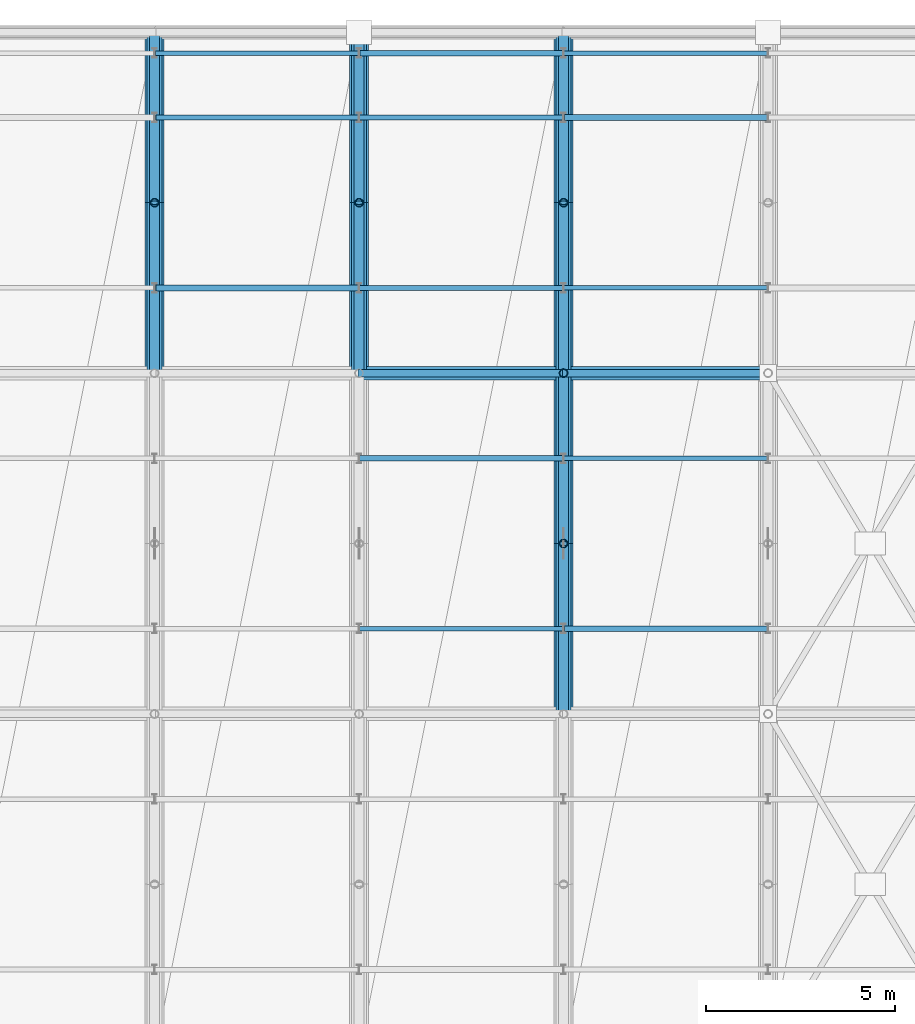
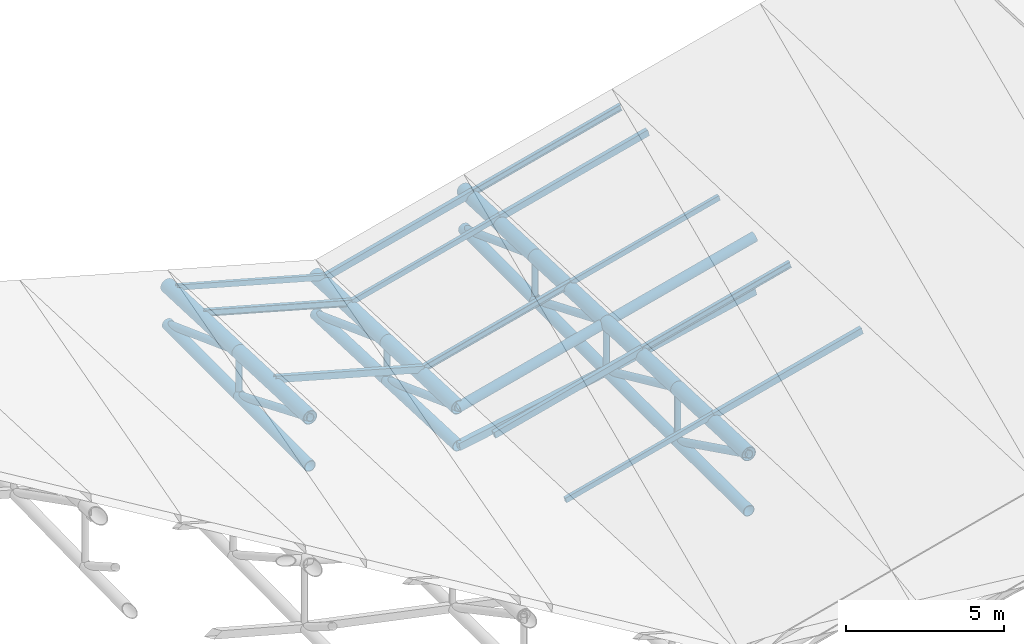
# One storey, part 27 of 109: 30 members, 16 beams.
"""IFC4 building model written with IfcOpenShell, lengths in metres."""

from ifc_helpers import new_model, si_unit, direction, frame, origin, origin_2d, place, context, subcontext, project, spatial, hollow_rectangle, hollow_circle, i_section, extrude, material, material_profile, profile_set, type_object, element, save


model = new_model("IFC4")

# Units and contexts
model_context = context("Model", 3, precision=1e-05, world=origin(), true_north=direction((0.0, 1.0)))
body_context = subcontext(model_context, "Body", "Model", "MODEL_VIEW")
ifc_project = project(units=[si_unit("LENGTHUNIT", "METRE"), si_unit("AREAUNIT", "SQUARE_METRE"), si_unit("VOLUMEUNIT", "CUBIC_METRE"), si_unit("PLANEANGLEUNIT", "RADIAN"), si_unit("MASSUNIT", "GRAM", prefix="KILO")], contexts=[model_context])

# Site, building, storey
site_placement = place(None, origin())
site = spatial("IfcSite", under=ifc_project, at=site_placement, CompositionType="ELEMENT")
building_placement = place(site_placement, origin())
building = spatial("IfcBuilding", under=site, at=building_placement, Name="Suirenkawa Promenade Aquatics Centre", CompositionType="ELEMENT")
storey_placement = place(building_placement, frame((0.0, 0.0, 22.800048828125)))
storey = spatial("IfcBuildingStorey", under=building, at=storey_placement, Name="ROOF", CompositionType="ELEMENT", Elevation=22.800048828125)

# Beams
ifc_material = material(Name="Steel IS 2062 E350 (Grade 350)", Category="steel")
ifc_material_profile_1 = material_profile(ifc_material, hollow_circle(Radius=0.202880859375, WallThickness=0.01806640625, at=origin_2d()), Name="CHS 406x18", Category="steel")
ifc_profile_set_1 = profile_set([ifc_material_profile_1], Name="Steel IS 2062 E350 (Grade 350)")
beam_type_1 = type_object("IfcBeamType", Name="BT-BC-CHS406", PredefinedType="BEAM", material=ifc_profile_set_1)
for number, where, z_axis, x_axis, name in (
    (1, (84.60009765625, 113.39990234375, -10.31103515625), (0.0, 0.999997019781, 0.002441398974), (-1.0, 0.0, 0.0), "ROOF TRUSS V1 bottom chord BC-01 BM-2028"),
    (2, (84.60009765625, 117.89990234375, -10.300048828125), (0.0, 0.999990104304, 0.004448740698), (-1.0, 0.0, 0.0), "ROOF TRUSS V1 bottom chord BC-01 BM-2030"),
):
    element("IfcBeam", number, at=place(storey_placement, frame(where, z_axis=z_axis, x_axis=x_axis)), inside=storey, type_object=beam_type_1, Name=name, PredefinedType="BEAM", context=body_context, shape_type="SweptSolid", body=[
        extrude(hollow_circle(Radius=0.202880859375, WallThickness=0.01806640625, at=origin_2d()), origin(), (0.0, 0.0, 1.0), 4.5),
    ])
for number, where, z_axis, x_axis, name in (
    (3, (90.0, 113.39990234375, -11.4130859375), (0.0, 0.999164352475, -0.040872934124), (-1.0, 0.0, 0.0), "ROOF TRUSS V1 bottom chord BC-01 BM-2056"),
    (4, (90.0, 117.89990234375, -11.59716796875), (0.0, 0.999175384927, -0.040602341759), (-1.0, 0.0, 0.0), "ROOF TRUSS V1 bottom chord BC-01 BM-2058"),
):
    element("IfcBeam", number, at=place(storey_placement, frame(where, z_axis=z_axis, x_axis=x_axis)), inside=storey, type_object=beam_type_1, Name=name, PredefinedType="BEAM", context=body_context, shape_type="SweptSolid", body=[
        extrude(hollow_circle(Radius=0.202880859375, WallThickness=0.01806640625, at=origin_2d()), origin(), (0.0, 0.0, 1.0), 4.503662109375),
    ])
for number, where, z_axis, x_axis, name in (
    (5, (95.39990234375, 104.39990234375, -10.358154296875), (0.0, 0.999978095645, -0.006618778628), (-1.0, 0.0, 0.0), "ROOF TRUSS V1 bottom chord BC-01 BM-2080"),
    (6, (95.39990234375, 108.89990234375, -10.387939453125), (0.0, 0.999997526048, -0.002224386858), (-1.0, 0.0, 0.0), "ROOF TRUSS V1 bottom chord BC-01 BM-2082"),
    (7, (95.39990234375, 113.39990234375, -10.39794921875), (0.0, 0.999999411313, 0.001085068806), (-1.0, 0.0, 0.0), "ROOF TRUSS V1 bottom chord BC-01 BM-2084"),
    (8, (95.39990234375, 117.89990234375, -10.39306640625), (0.0, 0.999995865965, 0.002875422141), (-1.0, 0.0, 0.0), "ROOF TRUSS V1 bottom chord BC-01 BM-2086"),
):
    element("IfcBeam", number, at=place(storey_placement, frame(where, z_axis=z_axis, x_axis=x_axis)), inside=storey, type_object=beam_type_1, Name=name, PredefinedType="BEAM", context=body_context, shape_type="SweptSolid", body=[
        extrude(hollow_circle(Radius=0.202880859375, WallThickness=0.01806640625, at=origin_2d()), origin(), (0.0, 0.0, 1.0), 4.5),
    ])
ifc_material_profile_2 = material_profile(ifc_material, hollow_circle(Radius=0.25390625, WallThickness=0.02392578125, at=origin_2d()), Name="CHS 508x24", Category="steel")
ifc_profile_set_2 = profile_set([ifc_material_profile_2], Name="Steel IS 2062 E350 (Grade 350)")
beam_type_2 = type_object("IfcBeamType", Name="BT-TC-CHS508", PredefinedType="BEAM", material=ifc_profile_set_2)
for number, where, z_axis, x_axis, name in (
    (9, (84.60009765625, 113.39990234375, -8.43310546875), (0.0, 0.999166564808, -0.040818816368), (-1.0, 0.0, 0.0), "ROOF TRUSS V1 top chord TC-02 BM-2027"),
    (10, (84.60009765625, 117.89990234375, -8.616943359375), (0.0, 0.999173184279, -0.040656460949), (-1.0, 0.0, 0.0), "ROOF TRUSS V1 top chord TC-02 BM-2029"),
    (11, (90.0, 113.39990234375, -9.93310546875), (0.0, 0.999166564808, -0.040818816368), (-1.0, 0.0, 0.0), "ROOF TRUSS V1 top chord TC-02 BM-2055"),
    (12, (90.0, 117.89990234375, -10.116943359375), (0.0, 0.999173184279, -0.040656460949), (-1.0, 0.0, 0.0), "ROOF TRUSS V1 top chord TC-02 BM-2057"),
    (13, (95.39990234375, 104.39990234375, -8.1669921875), (0.0, 0.999173184279, -0.040656460949), (-1.0, 0.0, 0.0), "ROOF TRUSS V1 top chord TC-02 BM-2079"),
    (14, (95.39990234375, 108.89990234375, -8.35009765625), (0.0, 0.999175384927, -0.040602341759), (-1.0, 0.0, 0.0), "ROOF TRUSS V1 top chord TC-02 BM-2081"),
    (15, (95.39990234375, 113.39990234375, -8.532958984375), (0.0, 0.999164352475, -0.040872934124), (-1.0, 0.0, 0.0), "ROOF TRUSS V1 top chord TC-02 BM-2083"),
    (16, (95.39990234375, 117.89990234375, -8.717041015625), (0.0, 0.999173184279, -0.040656460949), (-1.0, 0.0, 0.0), "ROOF TRUSS V1 top chord TC-02 BM-2085"),
):
    element("IfcBeam", number, at=place(storey_placement, frame(where, z_axis=z_axis, x_axis=x_axis)), inside=storey, type_object=beam_type_2, Name=name, PredefinedType="BEAM", context=body_context, shape_type="SweptSolid", body=[
        extrude(hollow_circle(Radius=0.25390625, WallThickness=0.02392578125, at=origin_2d()), origin(), (0.0, 0.0, 1.0), 4.503662109375),
    ])

# Members
ifc_material_profile_3 = material_profile(ifc_material, hollow_circle(Radius=0.177978515625, WallThickness=0.01611328125, at=origin_2d()), Name="CHS 356x16", Category="steel")
ifc_profile_set_3 = profile_set([ifc_material_profile_3], Name="Steel IS 2062 E350 (Grade 350)")
member_type_1 = type_object("IfcMemberType", Name="MT-CHORD-CHS356", PredefinedType="CHORD", material=ifc_profile_set_3)
member_1_placement = place(storey_placement, frame((90.0, 113.39990234375, -9.93310546875), z_axis=(0.967989416096, 0.0, 0.250991016426), x_axis=(0.0, 1.0, 0.0)))
element("IfcMember", 17, at=member_1_placement, inside=storey, type_object=member_type_1, Name="ROOF TRUSS V1 tie chord CH-02 MB-0904", PredefinedType="CHORD", context=body_context, shape_type="SweptSolid", body=[
    extrude(hollow_circle(Radius=0.177978515625, WallThickness=0.01611328125, at=origin_2d()), origin(), (0.0, 0.0, 1.0), 5.578369140625),
])
member_2_placement = place(storey_placement, frame((95.39990234375, 113.39990234375, -8.532958984375), z_axis=(0.96800280427, 0.0, 0.250939376992), x_axis=(0.0, 1.0, 0.0)))
element("IfcMember", 18, at=member_2_placement, inside=storey, type_object=member_type_1, Name="ROOF TRUSS V1 tie chord CH-02 MB-0906", PredefinedType="CHORD", context=body_context, shape_type="SweptSolid", body=[
    extrude(hollow_circle(Radius=0.177978515625, WallThickness=0.01611328125, at=origin_2d()), origin(), (0.0, 0.0, 1.0), 5.57861328125),
])
ifc_material_profile_4 = material_profile(ifc_material, hollow_rectangle(XDim=0.199951171875, YDim=0.300048828125, WallThickness=0.011962890625, at=origin_2d()), Name="RHS 300x200x12", Category="steel")
ifc_profile_set_4 = profile_set([ifc_material_profile_4], Name="Steel IS 2062 E350 (Grade 350)")
member_type_2 = type_object("IfcMemberType", Name="MT-CHORD-RHS300", PredefinedType="CHORD", material=ifc_profile_set_4)
member_3_placement = place(storey_placement, frame((90.0, 113.39990234375, -11.4130859375), z_axis=(0.982784550079, 0.0, 0.184755319614), x_axis=(0.0, 1.0, 0.0)))
element("IfcMember", 19, at=member_3_placement, inside=storey, type_object=member_type_2, Name="ROOF TRUSS V1 bottom tie CH-03 MB-0905", PredefinedType="CHORD", context=body_context, shape_type="SweptSolid", body=[
    extrude(hollow_rectangle(XDim=0.199951171875, YDim=0.300048828125, WallThickness=0.011962890625, at=origin_2d()), origin(), (0.0, 0.0, 1.0), 5.494384765625),
])
member_4_placement = place(storey_placement, frame((95.39990234375, 113.39990234375, -10.39794921875), z_axis=(0.975692581741, 0.0, 0.219143756322), x_axis=(0.0, 1.0, 0.0)))
element("IfcMember", 20, at=member_4_placement, inside=storey, type_object=member_type_2, Name="ROOF TRUSS V1 bottom tie CH-03 MB-0907", PredefinedType="CHORD", context=body_context, shape_type="SweptSolid", body=[
    extrude(hollow_rectangle(XDim=0.199951171875, YDim=0.300048828125, WallThickness=0.011962890625, at=origin_2d()), origin(), (0.0, 0.0, 1.0), 5.53466796875),
])
ifc_material_profile_5 = material_profile(ifc_material, i_section(OverallWidth=0.125, OverallDepth=0.25, WebThickness=0.007080078125, FlangeThickness=0.012939453125, at=origin_2d()), Name="ISMB 250", Category="steel")
ifc_profile_set_5 = profile_set([ifc_material_profile_5], Name="Steel IS 2062 E350 (Grade 350)")
member_type_3 = type_object("IfcMemberType", Name="MT-PURLIN-ISMB250", PredefinedType="PURLIN", material=ifc_profile_set_5)
member_5_placement = place(storey_placement, frame((84.60009765625, 120.14990234375, -8.47998046875), z_axis=(0.963516661409, 0.0, -0.267648357342), x_axis=(0.0, 1.0, 0.0)))
element("IfcMember", 21, at=member_5_placement, inside=storey, type_object=member_type_3, Name="ROOF TRUSS Roof purlin PU-04 MB-1971", PredefinedType="PURLIN", context=body_context, shape_type="SweptSolid", body=[
    extrude(i_section(OverallWidth=0.125, OverallDepth=0.25, WebThickness=0.007080078125, FlangeThickness=0.012939453125, at=origin_2d()), origin(), (0.0, 0.0, 1.0), 5.604248046875),
])
member_6_placement = place(storey_placement, frame((90.0, 115.64990234375, -9.797119140625), z_axis=(0.967989416096, 0.0, 0.250991016426), x_axis=(0.0, 1.0, 0.0)))
element("IfcMember", 22, at=member_6_placement, inside=storey, type_object=member_type_3, Name="ROOF TRUSS Roof purlin PU-04 MB-2005", PredefinedType="PURLIN", context=body_context, shape_type="SweptSolid", body=[
    extrude(i_section(OverallWidth=0.125, OverallDepth=0.25, WebThickness=0.007080078125, FlangeThickness=0.012939453125, at=origin_2d()), origin(), (0.0, 0.0, 1.0), 5.578369140625),
])
for number, where, z_axis, x_axis, name in (
    (23, (95.39990234375, 111.14990234375, -8.213134765625), (0.967992172948, 0.0, 0.250980383917), (0.0, 1.0, 0.0), "ROOF TRUSS Roof purlin PU-04 MB-2039"),
    (24, (95.39990234375, 121.85009765625, -8.649169921875), (0.967992172948, 0.0, 0.250980383917), (0.0, 1.0, 0.0), "ROOF TRUSS Roof purlin PU-04 MB-2045"),
):
    element("IfcMember", number, at=place(storey_placement, frame(where, z_axis=z_axis, x_axis=x_axis)), inside=storey, type_object=member_type_3, Name=name, PredefinedType="PURLIN", context=body_context, shape_type="SweptSolid", body=[
        extrude(i_section(OverallWidth=0.125, OverallDepth=0.25, WebThickness=0.007080078125, FlangeThickness=0.012939453125, at=origin_2d()), origin(), (0.0, 0.0, 1.0), 5.57861328125),
    ])
ifc_material_profile_6 = material_profile(ifc_material, hollow_rectangle(XDim=0.1201171875, YDim=0.199951171875, WallThickness=0.008056640625, at=origin_2d()), Name="RHS 200x120x8", Category="steel")
ifc_profile_set_6 = profile_set([ifc_material_profile_6], Name="Steel IS 2062 E350 (Grade 350)")
member_type_4 = type_object("IfcMemberType", Name="MT-PURLIN-RHS200", PredefinedType="PURLIN", material=ifc_profile_set_6)
member_7_placement = place(storey_placement, frame((84.60009765625, 121.85009765625, -8.524169921875), z_axis=(0.963516661409, 0.0, -0.267648357342), x_axis=(0.0, 1.0, 0.0)))
element("IfcMember", 25, at=member_7_placement, inside=storey, type_object=member_type_4, Name="ROOF TRUSS Roof purlin PU-02 MB-1973", PredefinedType="PURLIN", context=body_context, shape_type="SweptSolid", body=[
    extrude(hollow_rectangle(XDim=0.1201171875, YDim=0.199951171875, WallThickness=0.008056640625, at=origin_2d()), origin(), (0.0, 0.0, 1.0), 5.604248046875),
])
for number, where, z_axis, x_axis, name in (
    (26, (90.0, 106.64990234375, -9.405029296875), (0.968000048288, 0.0, 0.250950007997), (0.0, 1.0, 0.0), "ROOF TRUSS Roof purlin PU-02 MB-2001"),
    (27, (90.0, 120.14990234375, -9.955078125), (0.967989416096, 0.0, 0.250991016426), (0.0, 1.0, 0.0), "ROOF TRUSS Roof purlin PU-02 MB-2007"),
):
    element("IfcMember", number, at=place(storey_placement, frame(where, z_axis=z_axis, x_axis=x_axis)), inside=storey, type_object=member_type_4, Name=name, PredefinedType="PURLIN", context=body_context, shape_type="SweptSolid", body=[
        extrude(hollow_rectangle(XDim=0.1201171875, YDim=0.199951171875, WallThickness=0.008056640625, at=origin_2d()), origin(), (0.0, 0.0, 1.0), 5.578369140625),
    ])
member_8_placement = place(storey_placement, frame((95.39990234375, 115.64990234375, -8.3720703125), z_axis=(0.96800280427, 0.0, 0.250939376992), x_axis=(0.0, 1.0, 0.0)))
element("IfcMember", 28, at=member_8_placement, inside=storey, type_object=member_type_4, Name="ROOF TRUSS Roof purlin PU-02 MB-2041", PredefinedType="PURLIN", context=body_context, shape_type="SweptSolid", body=[
    extrude(hollow_rectangle(XDim=0.1201171875, YDim=0.199951171875, WallThickness=0.008056640625, at=origin_2d()), origin(), (0.0, 0.0, 1.0), 5.57861328125),
])
ifc_material_profile_7 = material_profile(ifc_material, hollow_rectangle(XDim=0.14990234375, YDim=0.25, WallThickness=0.010009765625, at=origin_2d()), Name="RHS 250x150x10", Category="steel")
ifc_profile_set_7 = profile_set([ifc_material_profile_7], Name="Steel IS 2062 E350 (Grade 350)")
member_type_5 = type_object("IfcMemberType", Name="MT-PURLIN-RHS250", PredefinedType="PURLIN", material=ifc_profile_set_7)
member_9_placement = place(storey_placement, frame((84.60009765625, 115.64990234375, -8.297119140625), z_axis=(0.963516661409, 0.0, -0.267648357342), x_axis=(0.0, 1.0, 0.0)))
element("IfcMember", 29, at=member_9_placement, inside=storey, type_object=member_type_5, Name="ROOF TRUSS Roof purlin PU-03 MB-1969", PredefinedType="PURLIN", context=body_context, shape_type="SweptSolid", body=[
    extrude(hollow_rectangle(XDim=0.14990234375, YDim=0.25, WallThickness=0.010009765625, at=origin_2d()), origin(), (0.0, 0.0, 1.0), 5.604248046875),
])
for number, where, z_axis, x_axis, name in (
    (30, (90.0, 111.14990234375, -9.614013671875), (0.968000048288, 0.0, 0.250950007997), (0.0, 1.0, 0.0), "ROOF TRUSS Roof purlin PU-03 MB-2003"),
    (31, (90.0, 121.85009765625, -10.050048828125), (0.968000048288, 0.0, 0.250950007997), (0.0, 1.0, 0.0), "ROOF TRUSS Roof purlin PU-03 MB-2009"),
):
    element("IfcMember", number, at=place(storey_placement, frame(where, z_axis=z_axis, x_axis=x_axis)), inside=storey, type_object=member_type_5, Name=name, PredefinedType="PURLIN", context=body_context, shape_type="SweptSolid", body=[
        extrude(hollow_rectangle(XDim=0.14990234375, YDim=0.25, WallThickness=0.010009765625, at=origin_2d()), origin(), (0.0, 0.0, 1.0), 5.578369140625),
    ])
for number, where, z_axis, x_axis, name in (
    (32, (95.39990234375, 106.64990234375, -8.031005859375), (0.96800280427, 0.0, 0.250939376992), (0.0, 1.0, 0.0), "ROOF TRUSS Roof purlin PU-03 MB-2037"),
    (33, (95.39990234375, 120.14990234375, -8.5810546875), (0.96800280427, 0.0, 0.250939376992), (0.0, 1.0, 0.0), "ROOF TRUSS Roof purlin PU-03 MB-2043"),
):
    element("IfcMember", number, at=place(storey_placement, frame(where, z_axis=z_axis, x_axis=x_axis)), inside=storey, type_object=member_type_5, Name=name, PredefinedType="PURLIN", context=body_context, shape_type="SweptSolid", body=[
        extrude(hollow_rectangle(XDim=0.14990234375, YDim=0.25, WallThickness=0.010009765625, at=origin_2d()), origin(), (0.0, 0.0, 1.0), 5.57861328125),
    ])
ifc_material_profile_8 = material_profile(ifc_material, hollow_circle(Radius=0.110107421875, WallThickness=0.010009765625, at=origin_2d()), Name="CHS 220x10", Category="steel")
ifc_profile_set_8 = profile_set([ifc_material_profile_8], Name="Steel IS 2062 E350 (Grade 350)")
member_type_6 = type_object("IfcMemberType", Name="MT-WEB-CHS220", PredefinedType="BRACE", material=ifc_profile_set_8)
member_10_placement = place(storey_placement, frame((84.60009765625, 117.89990234375, -10.300048828125), z_axis=(0.0, 0.0, 1.0), x_axis=(1.0, 0.0, 0.0)))
element("IfcMember", 34, at=member_10_placement, inside=storey, type_object=member_type_6, Name="ROOF TRUSS V1 web post TD-01 MB-0216", PredefinedType="BRACE", context=body_context, shape_type="SweptSolid", body=[
    extrude(hollow_circle(Radius=0.110107421875, WallThickness=0.010009765625, at=origin_2d()), origin(), (0.0, 0.0, 1.0), 1.68310546875),
])
member_11_placement = place(storey_placement, frame((90.0, 117.89990234375, -11.59716796875), z_axis=(0.0, 0.0, 1.0), x_axis=(1.0, 0.0, 0.0)))
element("IfcMember", 35, at=member_11_placement, inside=storey, type_object=member_type_6, Name="ROOF TRUSS V1 web post TD-01 MB-0243", PredefinedType="BRACE", context=body_context, shape_type="SweptSolid", body=[
    extrude(hollow_circle(Radius=0.110107421875, WallThickness=0.010009765625, at=origin_2d()), origin(), (0.0, 0.0, 1.0), 1.480224609375),
])
member_12_placement = place(storey_placement, frame((95.39990234375, 108.89990234375, -10.387939453125), z_axis=(0.0, 0.0, 1.0), x_axis=(1.0, 0.0, 0.0)))
element("IfcMember", 36, at=member_12_placement, inside=storey, type_object=member_type_6, Name="ROOF TRUSS V1 web post TD-01 MB-0268", PredefinedType="BRACE", context=body_context, shape_type="SweptSolid", body=[
    extrude(hollow_circle(Radius=0.110107421875, WallThickness=0.010009765625, at=origin_2d()), origin(), (0.0, 0.0, 1.0), 2.037841796875),
])
member_13_placement = place(storey_placement, frame((95.39990234375, 113.39990234375, -10.39794921875), z_axis=(0.0, 0.0, 1.0), x_axis=(1.0, 0.0, 0.0)))
element("IfcMember", 37, at=member_13_placement, inside=storey, type_object=member_type_6, Name="ROOF TRUSS V1 web post TD-01 MB-0269", PredefinedType="BRACE", context=body_context, shape_type="SweptSolid", body=[
    extrude(hollow_circle(Radius=0.110107421875, WallThickness=0.010009765625, at=origin_2d()), origin(), (0.0, 0.0, 1.0), 1.864990234375),
])
member_14_placement = place(storey_placement, frame((95.39990234375, 117.89990234375, -10.39306640625), z_axis=(0.0, 0.0, 1.0), x_axis=(1.0, 0.0, 0.0)))
element("IfcMember", 38, at=member_14_placement, inside=storey, type_object=member_type_6, Name="ROOF TRUSS V1 web post TD-01 MB-0270", PredefinedType="BRACE", context=body_context, shape_type="SweptSolid", body=[
    extrude(hollow_circle(Radius=0.110107421875, WallThickness=0.010009765625, at=origin_2d()), origin(), (0.0, 0.0, 1.0), 1.676025390625),
])
ifc_material_profile_9 = material_profile(ifc_material, hollow_circle(Radius=0.136962890625, WallThickness=0.011962890625, at=origin_2d()), Name="CHS 274x12", Category="steel")
ifc_profile_set_9 = profile_set([ifc_material_profile_9], Name="Steel IS 2062 E350 (Grade 350)")
member_type_7 = type_object("IfcMemberType", Name="MT-WEB-CHS274", PredefinedType="BRACE", material=ifc_profile_set_9)
member_15_placement = place(storey_placement, frame((84.60009765625, 113.39990234375, -8.43310546875), z_axis=(0.0, 0.923662957717, -0.383205872269), x_axis=(-1.0, 0.0, 0.0)))
element("IfcMember", 39, at=member_15_placement, inside=storey, type_object=member_type_7, Name="ROOF TRUSS V1 web diagonal TD-02 MB-0202", PredefinedType="BRACE", context=body_context, shape_type="SweptSolid", body=[
    extrude(hollow_circle(Radius=0.136962890625, WallThickness=0.011962890625, at=origin_2d()), origin(), (0.0, 0.0, 1.0), 4.871826171875),
])
member_16_placement = place(storey_placement, frame((84.60009765625, 117.89990234375, -8.616943359375), z_axis=(0.0, 0.937991621065, -0.346657927664), x_axis=(-1.0, 0.0, 0.0)))
element("IfcMember", 40, at=member_16_placement, inside=storey, type_object=member_type_7, Name="ROOF TRUSS V1 web diagonal TD-02 MB-0203", PredefinedType="BRACE", context=body_context, shape_type="SweptSolid", body=[
    extrude(hollow_circle(Radius=0.136962890625, WallThickness=0.011962890625, at=origin_2d()), origin(), (0.0, 0.0, 1.0), 4.79736328125),
])
member_17_placement = place(storey_placement, frame((90.0, 113.39990234375, -9.93310546875), z_axis=(0.0, 0.937925419525, -0.346837004095), x_axis=(-1.0, 0.0, 0.0)))
element("IfcMember", 41, at=member_17_placement, inside=storey, type_object=member_type_7, Name="ROOF TRUSS V1 web diagonal TD-02 MB-0229", PredefinedType="BRACE", context=body_context, shape_type="SweptSolid", body=[
    extrude(hollow_circle(Radius=0.136962890625, WallThickness=0.011962890625, at=origin_2d()), origin(), (0.0, 0.0, 1.0), 4.7978515625),
])
member_18_placement = place(storey_placement, frame((90.0, 117.89990234375, -10.116943359375), z_axis=(0.0, 0.937991621065, -0.346657927664), x_axis=(-1.0, 0.0, 0.0)))
element("IfcMember", 42, at=member_18_placement, inside=storey, type_object=member_type_7, Name="ROOF TRUSS V1 web diagonal TD-02 MB-0230", PredefinedType="BRACE", context=body_context, shape_type="SweptSolid", body=[
    extrude(hollow_circle(Radius=0.136962890625, WallThickness=0.011962890625, at=origin_2d()), origin(), (0.0, 0.0, 1.0), 4.79736328125),
])
member_19_placement = place(storey_placement, frame((95.39990234375, 104.39990234375, -8.1669921875), z_axis=(0.0, 0.896730975895, -0.442576046426), x_axis=(-1.0, 0.0, 0.0)))
element("IfcMember", 43, at=member_19_placement, inside=storey, type_object=member_type_7, Name="ROOF TRUSS V1 web diagonal TD-02 MB-0254", PredefinedType="BRACE", context=body_context, shape_type="SweptSolid", body=[
    extrude(hollow_circle(Radius=0.136962890625, WallThickness=0.011962890625, at=origin_2d()), origin(), (0.0, 0.0, 1.0), 5.018310546875),
])
member_20_placement = place(storey_placement, frame((95.39990234375, 108.89990234375, -8.35009765625), z_axis=(0.0, 0.910183748108, -0.414204713494), x_axis=(-1.0, 0.0, 0.0)))
element("IfcMember", 44, at=member_20_placement, inside=storey, type_object=member_type_7, Name="ROOF TRUSS V1 web diagonal TD-02 MB-0255", PredefinedType="BRACE", context=body_context, shape_type="SweptSolid", body=[
    extrude(hollow_circle(Radius=0.136962890625, WallThickness=0.011962890625, at=origin_2d()), origin(), (0.0, 0.0, 1.0), 4.944091796875),
])
member_21_placement = place(storey_placement, frame((95.39990234375, 113.39990234375, -8.532958984375), z_axis=(0.0, 0.924159091449, -0.382007818888), x_axis=(-1.0, 0.0, 0.0)))
element("IfcMember", 45, at=member_21_placement, inside=storey, type_object=member_type_7, Name="ROOF TRUSS V1 web diagonal TD-02 MB-0256", PredefinedType="BRACE", context=body_context, shape_type="SweptSolid", body=[
    extrude(hollow_circle(Radius=0.136962890625, WallThickness=0.011962890625, at=origin_2d()), origin(), (0.0, 0.0, 1.0), 4.869384765625),
])
member_22_placement = place(storey_placement, frame((95.39990234375, 117.89990234375, -8.717041015625), z_axis=(0.0, 0.937991621065, -0.346657927664), x_axis=(-1.0, 0.0, 0.0)))
element("IfcMember", 46, at=member_22_placement, inside=storey, type_object=member_type_7, Name="ROOF TRUSS V1 web diagonal TD-02 MB-0257", PredefinedType="BRACE", context=body_context, shape_type="SweptSolid", body=[
    extrude(hollow_circle(Radius=0.136962890625, WallThickness=0.011962890625, at=origin_2d()), origin(), (0.0, 0.0, 1.0), 4.79736328125),
])

save(model, "model.ifc")
